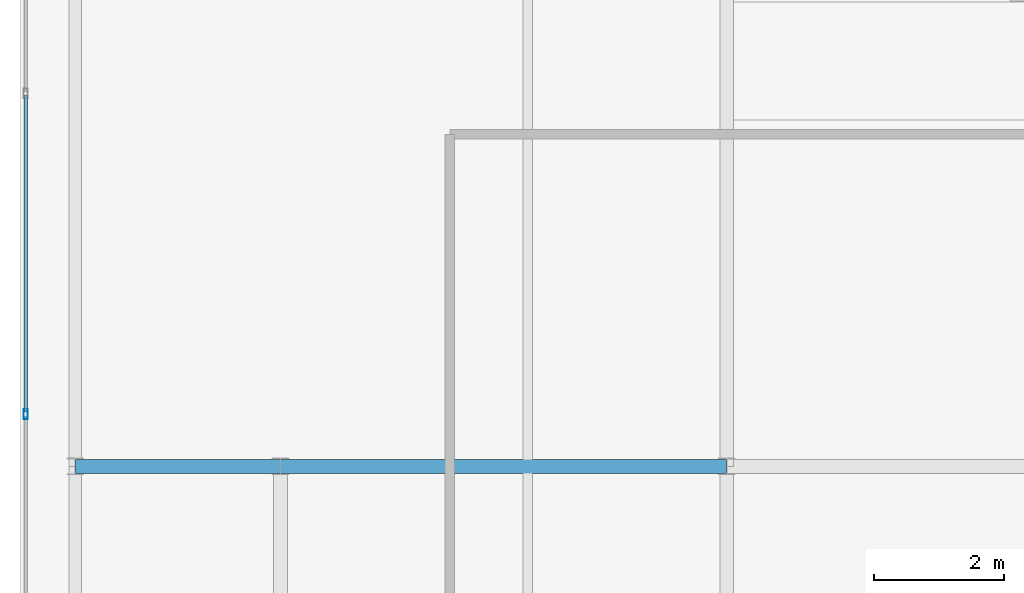
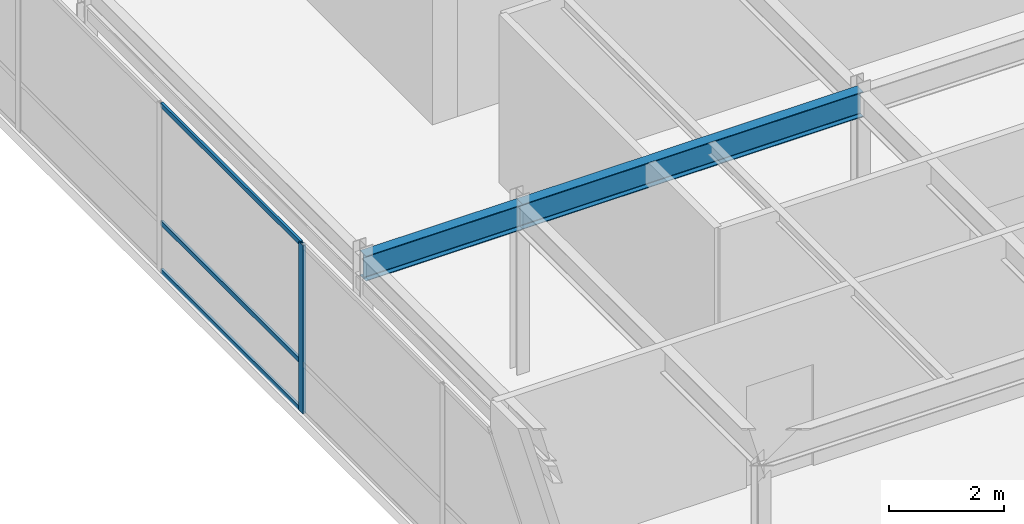
# One storey, part 16 of 36: 4 members, 2 beams, 1 element without a shape of its own.
"""IFC4 building model written with IfcOpenShell, lengths in metres."""

import ifcopenshell
import ifcopenshell.guid

model = None  # the IFC model being written
_history = None  # IfcOwnerHistory: only IFC2X3 demands one
_inside = {}  # id of a spatial element -> (the spatial element, [elements in it])
_under = {}  # id of a project, library or spatial element -> (it, [spatial elements below it])
_declared = {}  # id of a project -> (the project, [libraries it declares])
_typed = {}  # id of a type object -> (the type object, [elements of that type])
_made_of = {}  # id of a material, layer set ... -> (it, [elements and type objects made of it])


def new_model(schema):
    """Start an empty IFC model of exactly this schema.

    Asked for "IFC4X3", IfcOpenShell would pick the latest addendum, in which some entities
    have other attributes; the version numbers below select the first issue.
    IFC2X3 requires an IfcOwnerHistory on every rooted entity: one is made here for all.
    """
    global model, _history
    if schema == "IFC4X3":
        model = ifcopenshell.file(schema_version=(4, 3, 0, 0))
    else:
        model = ifcopenshell.file(schema=schema)
    _inside.clear()
    _under.clear()
    _declared.clear()
    _typed.clear()
    _made_of.clear()
    _history = None
    if model.schema == "IFC2X3":
        org = make("IfcOrganization", Name="unknown")
        user = make(
            "IfcPersonAndOrganization",
            ThePerson=make("IfcPerson", FamilyName="unknown"),
            TheOrganization=org,
        )
        app = make(
            "IfcApplication",
            ApplicationDeveloper=org,
            Version="unknown",
            ApplicationFullName="unknown",
            ApplicationIdentifier="unknown",
        )
        _history = make(
            "IfcOwnerHistory",
            OwningUser=user,
            OwningApplication=app,
            ChangeAction="ADDED",
            CreationDate=0,
        )
    return model


def make(cls, **values):
    """One entity of the class cls with the attributes given. An attribute that is None is left unset."""
    return model.create_entity(
        cls, **{name: value for name, value in values.items() if value is not None}
    )


def rooted(cls, **values):
    """An entity with a GlobalId (a new one), such as an element, a storey or a relation."""
    return make(cls, GlobalId=ifcopenshell.guid.new(), OwnerHistory=_history, **values)


def si_unit(unit_type, name, prefix=None):
    """IfcSIUnit, for example si_unit("LENGTHUNIT", "METRE", prefix="MILLI")."""
    return make("IfcSIUnit", UnitType=unit_type, Prefix=prefix, Name=name)


def assignment(units):
    """IfcUnitAssignment: the units of a project."""
    return None if units is None else make("IfcUnitAssignment", Units=units)


def point(xyz):
    """IfcCartesianPoint."""
    return None if xyz is None else make("IfcCartesianPoint", Coordinates=xyz)


def direction(xyz):
    """IfcDirection."""
    return None if xyz is None else make("IfcDirection", DirectionRatios=xyz)


def frame(location, z_axis=None, x_axis=None):
    """IfcAxis2Placement3D, a coordinate frame: its origin and axes. An axis left out is left unset."""
    return make(
        "IfcAxis2Placement3D",
        Location=point(location),
        Axis=direction(z_axis),
        RefDirection=direction(x_axis),
    )


def frame_2d(location, x_axis=None):
    """IfcAxis2Placement2D, a coordinate frame in the plane: its origin and x axis."""
    return make(
        "IfcAxis2Placement2D", Location=point(location), RefDirection=direction(x_axis)
    )


def origin():
    """The frame at (0, 0, 0) with its axes left unset."""
    return frame((0.0, 0.0, 0.0))


def origin_2d():
    """The frame at (0, 0) in the plane with its x axis left unset."""
    return frame_2d((0.0, 0.0))


def place(relative_to, where):
    """IfcLocalPlacement: puts the frame where relative to a parent placement (None: the world)."""
    return make(
        "IfcLocalPlacement", PlacementRelTo=relative_to, RelativePlacement=where
    )


def context(
    kind, dimensions, precision=None, world=None, true_north=None, identifier=None
):
    """IfcGeometricRepresentationContext, for example the 3D "Model" context."""
    return make(
        "IfcGeometricRepresentationContext",
        ContextIdentifier=identifier,
        ContextType=kind,
        CoordinateSpaceDimension=dimensions,
        Precision=precision,
        WorldCoordinateSystem=world,
        TrueNorth=true_north,
    )


def subcontext(parent, identifier, kind, view, scale=None):
    """IfcGeometricRepresentationSubContext, for example "Body" below "Model"."""
    return make(
        "IfcGeometricRepresentationSubContext",
        ContextIdentifier=identifier,
        ContextType=kind,
        ParentContext=parent,
        TargetScale=scale,
        TargetView=view,
    )


def project(units=None, contexts=None):
    """IfcProject with its units and contexts."""
    return rooted(
        "IfcProject",
        Name="project",
        RepresentationContexts=contexts,
        UnitsInContext=assignment(units),
    )


def spatial(cls, under=None, at=None, **own):
    """A site, building, storey or space (cls), placed at a placement, below another one or the project."""
    s = rooted(cls, ObjectPlacement=at, **own)
    if under is not None:
        _under.setdefault(under.id(), (under, []))[1].append(s)
    return s


def profile(cls, at=None, kind="AREA", **sizes):
    """A parametric profile (cls). Its sizes go by their IFC names, for example OverallWidth=200.0."""
    return make(cls, ProfileType=kind, Position=at, **sizes)


def hollow_rectangle(**sizes):
    """IfcRectangleHollowProfileDef."""
    return profile("IfcRectangleHollowProfileDef", **sizes)


def i_section(**sizes):
    """IfcIShapeProfileDef."""
    return profile("IfcIShapeProfileDef", **sizes)


def extrude(swept, where, along, depth):
    """IfcExtrudedAreaSolid: the profile swept, set in the frame where, extruded along a direction by depth."""
    return make(
        "IfcExtrudedAreaSolid",
        SweptArea=swept,
        Position=where,
        ExtrudedDirection=direction(along),
        Depth=depth,
    )


def shape(context_of_items, identifier, shape_type, items):
    """IfcShapeRepresentation: the items that make up one representation, for example the "Body"."""
    return make(
        "IfcShapeRepresentation",
        ContextOfItems=context_of_items,
        RepresentationIdentifier=identifier,
        RepresentationType=shape_type,
        Items=items,
    )


def source(mapping_origin, context_of_items, identifier, shape_type, items):
    """IfcRepresentationMap: a shape defined once, which mapped items show again and again."""
    return make(
        "IfcRepresentationMap",
        MappingOrigin=mapping_origin,
        MappedRepresentation=shape(context_of_items, identifier, shape_type, items),
    )


def transform(
    local_origin,
    x_axis=None,
    y_axis=None,
    z_axis=None,
    scale=None,
    scale2=None,
    scale3=None,
    uniform=True,
):
    """IfcCartesianTransformationOperator3D, or its non-uniform kind. x_axis, y_axis, z_axis: its Axis1, 2, 3."""
    if uniform:
        return make(
            "IfcCartesianTransformationOperator3D",
            Axis1=direction(x_axis),
            Axis2=direction(y_axis),
            LocalOrigin=point(local_origin),
            Scale=scale,
            Axis3=direction(z_axis),
        )
    return make(
        "IfcCartesianTransformationOperator3DnonUniform",
        Axis1=direction(x_axis),
        Axis2=direction(y_axis),
        LocalOrigin=point(local_origin),
        Scale=scale,
        Axis3=direction(z_axis),
        Scale2=scale2,
        Scale3=scale3,
    )


def mapped(mapping_source, mapping_target):
    """IfcMappedItem: shows the shape of a source again, moved by a transform."""
    return make(
        "IfcMappedItem", MappingSource=mapping_source, MappingTarget=mapping_target
    )


def material(Name=None, Category=None):
    """IfcMaterial."""
    return make("IfcMaterial", Name=Name, Category=Category)


def layer(
    of_material, thickness, ventilated=None, Name=None, Category=None, Priority=None
):
    """IfcMaterialLayer: one layer of a wall or slab, of a material (None: an air gap)."""
    return make(
        "IfcMaterialLayer",
        Material=of_material,
        LayerThickness=thickness,
        IsVentilated=ventilated,
        Name=Name,
        Category=Category,
        Priority=Priority,
    )


def layer_set(layers, Name=None):
    """IfcMaterialLayerSet."""
    return make("IfcMaterialLayerSet", MaterialLayers=layers, LayerSetName=Name)


def material_profile(
    of_material, cross_section, Name=None, Category=None, Priority=None
):
    """IfcMaterialProfile: a cross section and its material."""
    return make(
        "IfcMaterialProfile",
        Name=Name,
        Material=of_material,
        Profile=cross_section,
        Priority=Priority,
        Category=Category,
    )


def profile_set(profiles, Name=None, composite=None):
    """IfcMaterialProfileSet."""
    return make(
        "IfcMaterialProfileSet",
        Name=Name,
        MaterialProfiles=profiles,
        CompositeProfile=composite,
    )


def made_of(thing, what):
    """Note that an element or type object is made of a material, layer set ...; save() writes the relation."""
    if what is not None:
        _made_of.setdefault(what.id(), (what, []))[1].append(thing)
    return thing


def type_object(cls, material=None, **own):
    """A type object (cls), such as IfcWallType, which elements share."""
    return made_of(rooted(cls, **own), material)


def type_shapes(of_type, sources):
    """Give a type object the sources (RepresentationMaps) that its elements show as mapped items."""
    of_type.RepresentationMaps = sources


def element(
    cls,
    number,
    at=None,
    inside=None,
    cuts=None,
    type_object=None,
    material=None,
    context=None,
    identifier="Body",
    shape_type=None,
    held_by="IfcProductDefinitionShape",
    body=None,
    shapes=None,
    **own,
):
    """One element of the class cls, such as IfcWall. Its Tag is "e" and its number.

    at: its placement. inside: the storey or other place that contains it. cuts: it is an
    opening in that element (IfcRelVoidsElement). A single representation is given by context,
    identifier, shape_type and body (its items); several are given by shapes. held_by: the class
    of the entity that holds the representations. save() writes the other relations.
    """
    e = rooted(cls, Tag="e%d" % number, ObjectPlacement=at, **own)
    if body is not None:
        shapes = [shape(context, identifier, shape_type, body)]
    if shapes is not None:
        e.Representation = make(held_by, Representations=shapes)
    if inside is not None:
        _inside.setdefault(inside.id(), (inside, []))[1].append(e)
    if cuts is not None:
        rooted(
            "IfcRelVoidsElement", RelatingBuildingElement=cuts, RelatedOpeningElement=e
        )
    if type_object is not None:
        _typed.setdefault(type_object.id(), (type_object, []))[1].append(e)
    return made_of(e, material)


def aggregate(whole, parts):
    """IfcRelAggregates: a whole, such as a stair, and the parts it consists of."""
    return rooted("IfcRelAggregates", RelatingObject=whole, RelatedObjects=parts)


def save(model, path):
    """Write the relations noted so far, then the file.

    IfcRelAggregates (storeys below a building ...), IfcRelContainedInSpatialStructure (elements
    in a storey), IfcRelDefinesByType, IfcRelAssociatesMaterial and IfcRelDeclares: one each for
    every whole, place, type object, material and project.
    """
    for whole, parts in _under.values():
        aggregate(whole, parts)
    for where, things in _inside.values():
        rooted(
            "IfcRelContainedInSpatialStructure",
            RelatedElements=things,
            RelatingStructure=where,
        )
    for kind, things in _typed.values():
        rooted("IfcRelDefinesByType", RelatedObjects=things, RelatingType=kind)
    for what, things in _made_of.values():
        rooted("IfcRelAssociatesMaterial", RelatedObjects=things, RelatingMaterial=what)
    for by, libraries in _declared.values():
        rooted("IfcRelDeclares", RelatingContext=by, RelatedDefinitions=libraries)
    model.write(path)


model = new_model("IFC4")

# Units and contexts
model_context = context("Model", 3, precision=1e-05, world=origin(), true_north=direction((0.0, 1.0)))
body_context = subcontext(model_context, "Body", "Model", "MODEL_VIEW")
ifc_project = project(units=[si_unit("LENGTHUNIT", "METRE"), si_unit("AREAUNIT", "SQUARE_METRE"), si_unit("VOLUMEUNIT", "CUBIC_METRE"), si_unit("PLANEANGLEUNIT", "RADIAN"), si_unit("MASSUNIT", "GRAM", prefix="KILO")], contexts=[model_context])

# Site, building, storey
site_placement = place(None, origin())
site = spatial("IfcSite", under=ifc_project, at=site_placement, CompositionType="ELEMENT")
building_placement = place(site_placement, origin())
building = spatial("IfcBuilding", under=site, at=building_placement, Name="Tolvann Quenvar Hotel", CompositionType="ELEMENT")
storey_placement = place(building_placement, frame((0.0, 0.0, 306.14990234375)))
storey = spatial("IfcBuildingStorey", under=building, at=storey_placement, Name="L81", CompositionType="ELEMENT", Elevation=306.14990234375)

# Beams
ifc_material_1 = material(Name="Steel Grade 350", Category="steel")
ifc_material_profile_1 = material_profile(ifc_material_1, i_section(OverallWidth=0.208984375, OverallDepth=0.532958984375, WebThickness=0.01025390625, FlangeThickness=0.015625, FilletRadius=0.013916015625, at=origin_2d()), Name="530UB92")
ifc_profile_set_1 = profile_set([ifc_material_profile_1], Name="Steel Grade 350")
beam_type = type_object("IfcBeamType", Name="BM_GIRD_530UB92", PredefinedType="BEAM", material=ifc_profile_set_1)
shared_shape_1 = source(origin(), body_context, "Body", "SweptSolid", [
    extrude(i_section(OverallWidth=0.208984375, OverallDepth=0.532958984375, WebThickness=0.01025390625, FlangeThickness=0.015625, FilletRadius=0.013916015625, at=origin_2d()), origin(), (0.0, 0.0, 1.0), 6.849853515625),
])
beam_1_placement = place(storey_placement, frame((7.60009765625, 24.39990234375, 3.3134765625), z_axis=(1.0, 0.0, 0.0), x_axis=(0.0, 1.0, 0.0)))
element("IfcBeam", 1, at=beam_1_placement, inside=storey, type_object=beam_type, Name="BM-L81-EW-5-C5-D5", PredefinedType="BEAM", context=body_context, shape_type="MappedRepresentation", body=[
    mapped(shared_shape_1, transform((0.0, 0.0, 0.0), x_axis=(1.0, 0.0, 0.0), y_axis=(0.0, 1.0, 0.0), z_axis=(0.0, 0.0, 1.0), scale=1.0)),
])
shared_shape_2 = source(origin(), body_context, "Body", "SweptSolid", [
    extrude(i_section(OverallWidth=0.208984375, OverallDepth=0.532958984375, WebThickness=0.01025390625, FlangeThickness=0.015625, FilletRadius=0.013916015625, at=origin_2d()), origin(), (0.0, 0.0, 1.0), 3.150146484375),
])
type_shapes(beam_type, [shared_shape_1, shared_shape_2])
beam_2_placement = place(storey_placement, frame((4.449951171875, 24.39990234375, 3.3134765625), z_axis=(1.0, 0.0, 0.0), x_axis=(0.0, 1.0, 0.0)))
element("IfcBeam", 2, at=beam_2_placement, inside=storey, type_object=beam_type, Name="BM-L81-EW-5-B5-C5", PredefinedType="BEAM", context=body_context, shape_type="MappedRepresentation", body=[
    mapped(shared_shape_2, transform((0.0, 0.0, 0.0), x_axis=(1.0, 0.0, 0.0), y_axis=(0.0, 1.0, 0.0), z_axis=(0.0, 0.0, 1.0), scale=1.0)),
])

# Curtain wall, members
ifc_material_2 = material(Name="Thermally broken anodised architectural aluminium 6063-T6 and laminated low-E glass", Category="aluminium")
ifc_layer = layer(ifc_material_2, 0.179931640625)
ifc_layer_set = layer_set([ifc_layer], Name="Thermally broken anodised architectural aluminium 6063-T6 and laminated low-E glass")
curtain_wall_type = type_object("IfcCurtainWallType", Name="CW_SYS_LANT_06", PredefinedType="USERDEFINED", material=ifc_layer_set)
curtain_wall_placement = place(storey_placement, origin())
curtain_wall = element("IfcCurtainWall", 3, at=curtain_wall_placement, inside=storey, type_object=curtain_wall_type, Name="Curtain Wall CW-LANT-06 (CWR-L81-E19)", ObjectType="UNITISED CURTAIN WALL", PredefinedType="USERDEFINED")
ifc_material_3 = material(Name="Anodised architectural aluminium 6063-T6 framing", Category="aluminium")
ifc_material_profile_2 = material_profile(ifc_material_3, hollow_rectangle(XDim=0.06494140625, YDim=0.14990234375, WallThickness=0.00390625, at=origin_2d()), Name="150x65x4RHS")
ifc_profile_set_2 = profile_set([ifc_material_profile_2], Name="Anodised architectural aluminium 6063-T6 framing")
member_type_1 = type_object("IfcMemberType", Name="CW_MULL_150x65", PredefinedType="MULLION", material=ifc_profile_set_2)
shared_shape_3 = source(origin(), body_context, "Body", "SweptSolid", [
    extrude(hollow_rectangle(XDim=0.06494140625, YDim=0.14990234375, WallThickness=0.00390625, at=origin_2d()), origin(), (0.0, 0.0, 1.0), 3.580078125),
])
type_shapes(member_type_1, [shared_shape_3])
member_1_placement = place(storey_placement, frame((3.68994140625, 25.199951171875, 0.0), z_axis=(0.0, 0.0, 1.0), x_axis=(1.0, 0.0, 0.0)))
member_1 = element("IfcMember", 4, at=member_1_placement, type_object=member_type_1, Name="CW-LANT-06 mullion 4", PredefinedType="MULLION", context=body_context, shape_type="MappedRepresentation", body=[
    mapped(shared_shape_3, transform((0.0, 0.0, 0.0), x_axis=(1.0, 0.0, 0.0), y_axis=(0.0, 1.0, 0.0), z_axis=(0.0, 0.0, 1.0), scale=1.0)),
])
ifc_material_profile_3 = material_profile(ifc_material_3, hollow_rectangle(XDim=0.050048828125, YDim=0.10009765625, WallThickness=0.0029296875, at=origin_2d()), Name="100x50x3RHS")
ifc_profile_set_3 = profile_set([ifc_material_profile_3], Name="Anodised architectural aluminium 6063-T6 framing")
member_type_2 = type_object("IfcMemberType", Name="CW_TRAN_100x50", PredefinedType="USERDEFINED", material=ifc_profile_set_3)
shared_shape_4 = source(origin(), body_context, "Body", "SweptSolid", [
    extrude(hollow_rectangle(XDim=0.050048828125, YDim=0.10009765625, WallThickness=0.0029296875, at=origin_2d()), origin(), (0.0, 0.0, 1.0), 4.86279296875),
])
type_shapes(member_type_2, [shared_shape_4])
member_2_placement = place(storey_placement, frame((3.68994140625, 30.09521484375, 0.025146484375), z_axis=(0.0, -1.0, 0.0), x_axis=(1.0, 0.0, 0.0)))
member_2 = element("IfcMember", 5, at=member_2_placement, type_object=member_type_2, Name="CW-LANT-06 transom 3.1", ObjectType="TRANSOM", PredefinedType="USERDEFINED", context=body_context, shape_type="MappedRepresentation", body=[
    mapped(shared_shape_4, transform((0.0, 0.0, 0.0), x_axis=(1.0, 0.0, 0.0), y_axis=(0.0, 1.0, 0.0), z_axis=(0.0, 0.0, 1.0), scale=1.0)),
])
member_3_placement = place(storey_placement, frame((3.68994140625, 30.09521484375, 1.050048828125), z_axis=(0.0, -1.0, 0.0), x_axis=(1.0, 0.0, 0.0)))
member_3 = element("IfcMember", 6, at=member_3_placement, type_object=member_type_2, Name="CW-LANT-06 transom 3.2", ObjectType="TRANSOM", PredefinedType="USERDEFINED", context=body_context, shape_type="MappedRepresentation", body=[
    mapped(shared_shape_4, transform((0.0, 0.0, 0.0), x_axis=(1.0, 0.0, 0.0), y_axis=(0.0, 1.0, 0.0), z_axis=(0.0, 0.0, 1.0), scale=1.0)),
])
member_4_placement = place(storey_placement, frame((3.68994140625, 30.09521484375, 3.55517578125), z_axis=(0.0, -1.0, 0.0), x_axis=(1.0, 0.0, 0.0)))
member_4 = element("IfcMember", 7, at=member_4_placement, type_object=member_type_2, Name="CW-LANT-06 transom 3.3", ObjectType="TRANSOM", PredefinedType="USERDEFINED", context=body_context, shape_type="MappedRepresentation", body=[
    mapped(shared_shape_4, transform((0.0, 0.0, 0.0), x_axis=(1.0, 0.0, 0.0), y_axis=(0.0, 1.0, 0.0), z_axis=(0.0, 0.0, 1.0), scale=1.0)),
])
aggregate(curtain_wall, [member_1, member_2, member_3, member_4])

save(model, "model.ifc")
